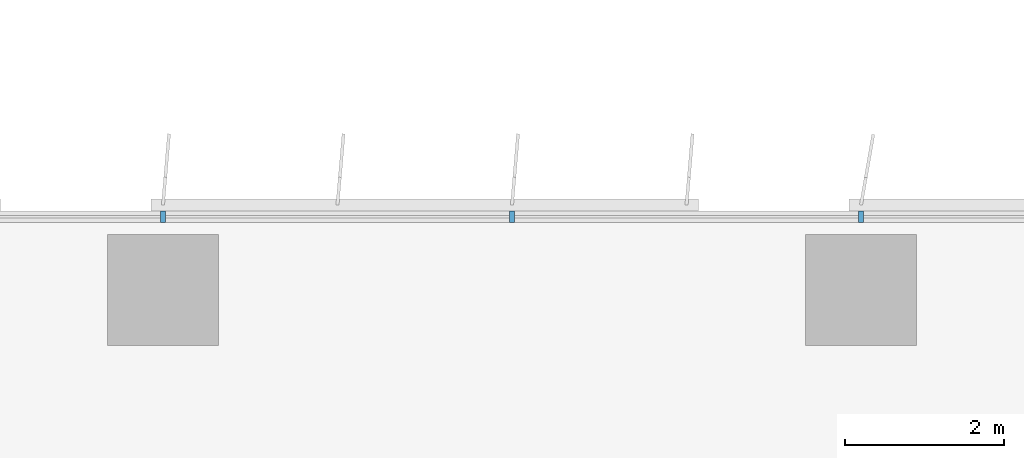
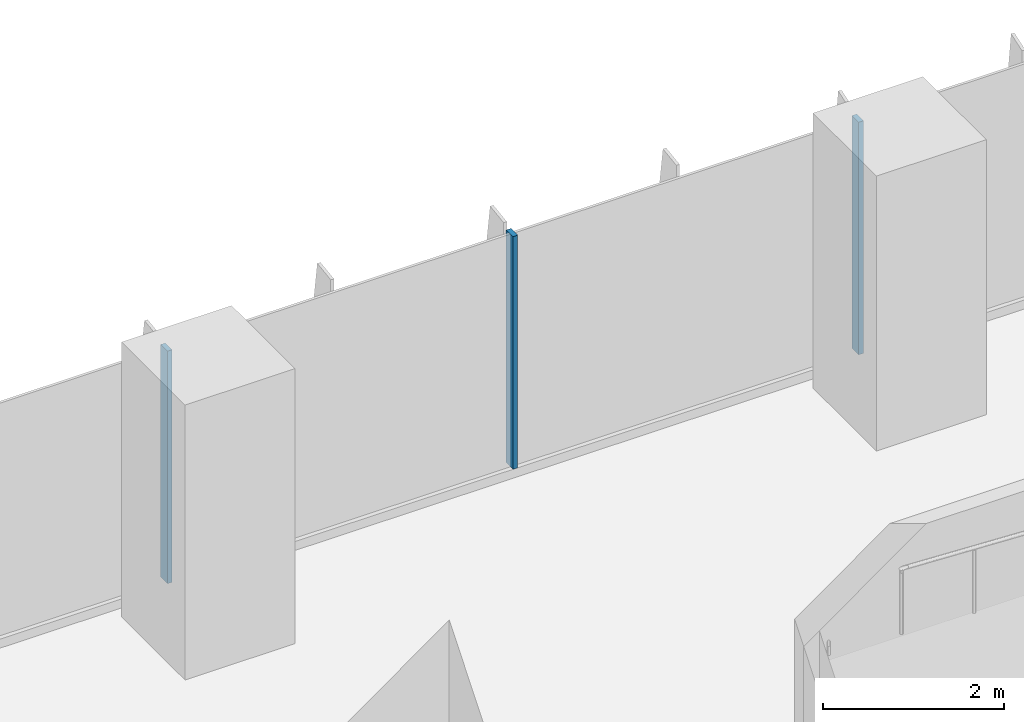
# One storey, part 4 of 23: 3 members, 1 element without a shape of its own.
"""IFC4 building model written with IfcOpenShell, lengths in metres."""

from ifc_helpers import new_model, si_unit, direction, frame, origin, origin_2d, place, context, subcontext, project, spatial, rectangle, extrude, source, transform, mapped, material, material_profile, profile_set, type_object, element, aggregate, save


model = new_model("IFC4")

# Units and contexts
model_context = context("Model", 3, precision=1e-05, world=origin(), true_north=direction((0.0, 1.0)))
body_context = subcontext(model_context, "Body", "Model", "MODEL_VIEW")
ifc_project = project(units=[si_unit("LENGTHUNIT", "METRE"), si_unit("AREAUNIT", "SQUARE_METRE"), si_unit("VOLUMEUNIT", "CUBIC_METRE"), si_unit("PLANEANGLEUNIT", "RADIAN"), si_unit("MASSUNIT", "GRAM", prefix="KILO")], contexts=[model_context])

# Site, building, storey
site_placement = place(None, origin())
site = spatial("IfcSite", under=ifc_project, at=site_placement, CompositionType="ELEMENT")
building_placement = place(site_placement, origin())
building = spatial("IfcBuilding", under=site, at=building_placement, Name="Kemantara Hotel Tower", CompositionType="ELEMENT")
storey_placement = place(building_placement, frame((0.0, 0.0, 67.300048828125)))
storey = spatial("IfcBuildingStorey", under=building, at=storey_placement, Name="L15", CompositionType="ELEMENT", Elevation=67.300048828125)

# Curtain wall, members
ifc_material_1 = material(Name="Low-E tinted double insulated glass 36 mm", Category="glass")
curtain_wall_type = type_object("IfcCurtainWallType", Name="TOWER CURTAIN WALL, FRONT FACES", PredefinedType="USERDEFINED", material=ifc_material_1)
curtain_wall_placement = place(storey_placement, origin())
curtain_wall = element("IfcCurtainWall", 1, at=curtain_wall_placement, inside=storey, type_object=curtain_wall_type, Name="CW4 L15 T1-R07-1", ObjectType="TOWER CURTAIN WALL, FRONT FACES", PredefinedType="USERDEFINED")
ifc_material_2 = material(Name="Aluminium 6063-T6 bronze anodised", Category="aluminium")
ifc_material_profile = material_profile(ifc_material_2, rectangle(XDim=0.14990234375, YDim=0.06005859375, at=origin_2d()), Name="TOWER CURTAIN WALL, FRONT FACES MULLION")
ifc_profile_set = profile_set([ifc_material_profile], Name="Aluminium 6063-T6 bronze anodised")
member_type = type_object("IfcMemberType", Name="TOWER CURTAIN WALL, FRONT FACES MULLION", PredefinedType="MULLION", material=ifc_profile_set)
shared_shape = source(origin(), body_context, "Body", "SweptSolid", [
    extrude(rectangle(XDim=0.14990234375, YDim=0.06005859375, at=origin_2d()), origin(), (0.0, 0.0, 1.0), 3.130126953125),
])
member_1_placement = place(storey_placement, frame((62.60009765625, 26.72509765625, 0.119873046875), z_axis=(0.0, 0.0, 1.0), x_axis=(0.0, -1.0, 0.0)))
member_1 = element("IfcMember", 2, at=member_1_placement, type_object=member_type, Name="CW4 mullion T1-R07-1.5", PredefinedType="MULLION", context=body_context, shape_type="MappedRepresentation", body=[
    mapped(shared_shape, transform((0.0, 0.0, 0.0))),
])
member_2_placement = place(storey_placement, frame((58.199951171875, 26.72509765625, 0.119873046875), z_axis=(0.0, 0.0, 1.0), x_axis=(0.0, -1.0, 0.0)))
member_2 = element("IfcMember", 3, at=member_2_placement, type_object=member_type, Name="CW4 mullion T1-R07-1.6", PredefinedType="MULLION", context=body_context, shape_type="MappedRepresentation", body=[
    mapped(shared_shape, transform((0.0, 0.0, 0.0))),
])
member_3_placement = place(storey_placement, frame((53.800048828125, 26.72509765625, 0.119873046875), z_axis=(0.0, 0.0, 1.0), x_axis=(0.0, -1.0, 0.0)))
member_3 = element("IfcMember", 4, at=member_3_placement, type_object=member_type, Name="CW4 mullion T1-R07-1.7", PredefinedType="MULLION", context=body_context, shape_type="MappedRepresentation", body=[
    mapped(shared_shape, transform((0.0, 0.0, 0.0))),
])
aggregate(curtain_wall, [member_1, member_2, member_3])

save(model, "model.ifc")
